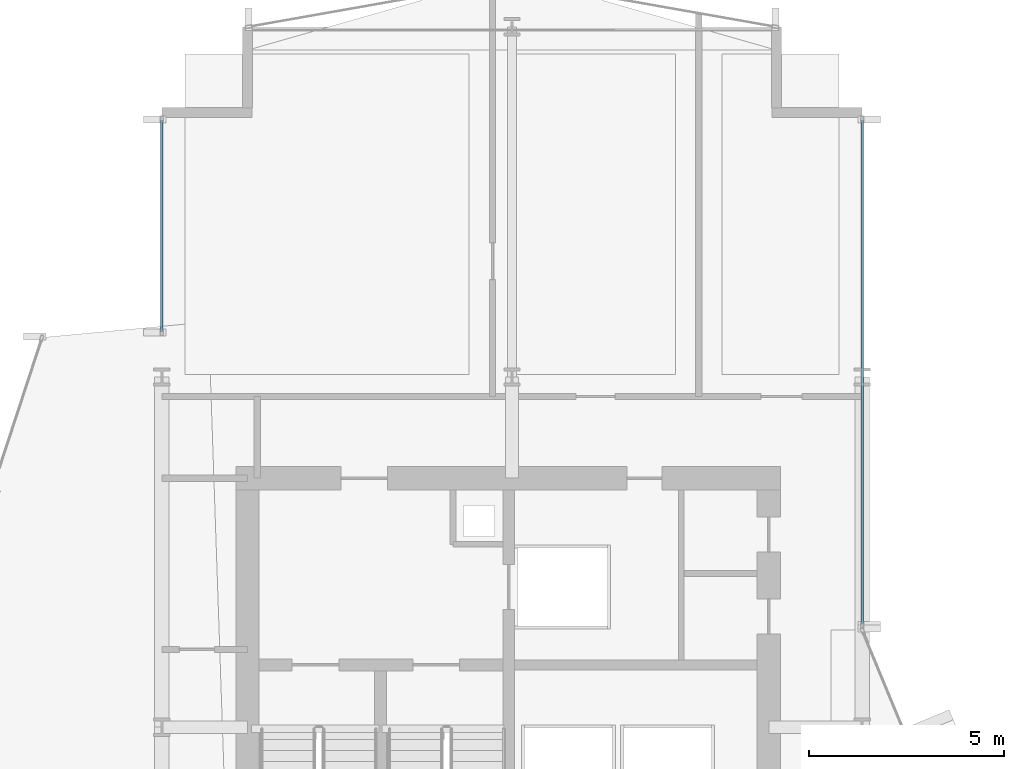
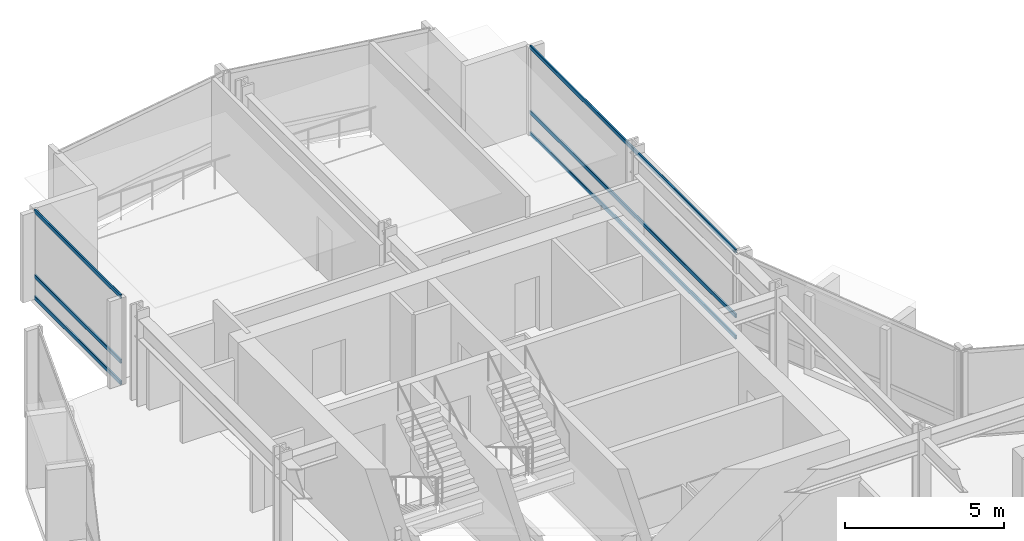
# One storey, part 22 of 34: 6 members, 2 elements without a shape of their own.
"""IFC4 building model written with IfcOpenShell, lengths in metres."""

from ifc_helpers import new_model, si_unit, direction, frame, origin, origin_2d, place, context, subcontext, project, spatial, hollow_rectangle, extrude, material, layer, layer_set, material_profile, profile_set, type_object, element, aggregate, save


model = new_model("IFC4")

# Units and contexts
model_context = context("Model", 3, precision=1e-05, world=origin(), true_north=direction((0.0, 1.0)))
body_context = subcontext(model_context, "Body", "Model", "MODEL_VIEW")
ifc_project = project(units=[si_unit("LENGTHUNIT", "METRE"), si_unit("AREAUNIT", "SQUARE_METRE"), si_unit("VOLUMEUNIT", "CUBIC_METRE"), si_unit("PLANEANGLEUNIT", "RADIAN"), si_unit("MASSUNIT", "GRAM", prefix="KILO")], contexts=[model_context])

# Site, building, storey
site_placement = place(None, origin())
site = spatial("IfcSite", under=ifc_project, at=site_placement, CompositionType="ELEMENT")
building_placement = place(site_placement, origin())
building = spatial("IfcBuilding", under=site, at=building_placement, Name="Solvaryn Broadcast Tower", CompositionType="ELEMENT")
storey_placement = place(building_placement, frame((0.0, 0.0, 96.5)))
storey = spatial("IfcBuildingStorey", under=building, at=storey_placement, Name="L23", CompositionType="ELEMENT", Elevation=96.5)

# Curtain wall, members
ifc_material_1 = material(Name="Aluminium and Terracotta Unitised Curtain Wall", Category="masonry")
ifc_layer = layer(ifc_material_1, 0.199951171875)
ifc_layer_set = layer_set([ifc_layer], Name="CW-SYS2-LOWMID")
curtain_wall_type = type_object("IfcCurtainWallType", Name="CW-SYS2-LOWMID", PredefinedType="NOTDEFINED", material=ifc_layer_set)
curtain_wall_1_placement = place(storey_placement, origin())
curtain_wall_1 = element("IfcCurtainWall", 1, at=curtain_wall_1_placement, inside=storey, type_object=curtain_wall_type, Name="L23 Curtain Wall W2", PredefinedType="NOTDEFINED")
ifc_material_2 = material(Name="Anodised Aluminium 6063-T6", Category="aluminium")
ifc_material_profile = material_profile(ifc_material_2, hollow_rectangle(XDim=0.06494140625, YDim=0.14990234375, WallThickness=0.00390625, InnerFilletRadius=0.00390625, OuterFilletRadius=0.008056640625, at=origin_2d()))
ifc_profile_set = profile_set([ifc_material_profile], Name="Anodised Aluminium 6063-T6")
member_type = type_object("IfcMemberType", Name="CW-TRN-150", PredefinedType="USERDEFINED", material=ifc_profile_set)
member_1_placement = place(storey_placement, frame((9.0, 46.176025390625, 0.030029296875), z_axis=(0.0, 1.0, 0.0), x_axis=(-1.0, 0.0, 0.0)))
member_1 = element("IfcMember", 2, at=member_1_placement, type_object=member_type, Name="CWS2 transom 1.1", ObjectType="TRANSOM", PredefinedType="USERDEFINED", context=body_context, shape_type="SweptSolid", body=[
    extrude(hollow_rectangle(XDim=0.06494140625, YDim=0.14990234375, WallThickness=0.00390625, InnerFilletRadius=0.00390625, OuterFilletRadius=0.008056640625, at=origin_2d()), origin(), (0.0, 0.0, 1.0), 5.4140625),
])
member_2_placement = place(storey_placement, frame((9.0, 46.176025390625, 0.85009765625), z_axis=(0.0, 1.0, 0.0), x_axis=(-1.0, 0.0, 0.0)))
member_2 = element("IfcMember", 3, at=member_2_placement, type_object=member_type, Name="CWS2 transom 1.2", ObjectType="TRANSOM", PredefinedType="USERDEFINED", context=body_context, shape_type="SweptSolid", body=[
    extrude(hollow_rectangle(XDim=0.06494140625, YDim=0.14990234375, WallThickness=0.00390625, InnerFilletRadius=0.00390625, OuterFilletRadius=0.008056640625, at=origin_2d()), origin(), (0.0, 0.0, 1.0), 5.4140625),
])
member_3_placement = place(storey_placement, frame((9.0, 46.176025390625, 3.340087890625), z_axis=(0.0, 1.0, 0.0), x_axis=(-1.0, 0.0, 0.0)))
member_3 = element("IfcMember", 4, at=member_3_placement, type_object=member_type, Name="CWS2 transom 1.3", ObjectType="TRANSOM", PredefinedType="USERDEFINED", context=body_context, shape_type="SweptSolid", body=[
    extrude(hollow_rectangle(XDim=0.06494140625, YDim=0.14990234375, WallThickness=0.00390625, InnerFilletRadius=0.00390625, OuterFilletRadius=0.008056640625, at=origin_2d()), origin(), (0.0, 0.0, 1.0), 5.4140625),
])
aggregate(curtain_wall_1, [member_1, member_2, member_3])

curtain_wall_2_placement = place(storey_placement, origin())
curtain_wall_2 = element("IfcCurtainWall", 5, at=curtain_wall_2_placement, inside=storey, type_object=curtain_wall_type, Name="L23 Curtain Wall IV", PredefinedType="NOTDEFINED")
member_4_placement = place(storey_placement, frame((27.0, 51.590087890625, 0.030029296875), z_axis=(0.0, -1.0, 0.0), x_axis=(1.0, 0.0, 0.0)))
member_4 = element("IfcMember", 6, at=member_4_placement, type_object=member_type, Name="CWS2 transom 1.1", ObjectType="TRANSOM", PredefinedType="USERDEFINED", context=body_context, shape_type="SweptSolid", body=[
    extrude(hollow_rectangle(XDim=0.06494140625, YDim=0.14990234375, WallThickness=0.00390625, InnerFilletRadius=0.00390625, OuterFilletRadius=0.008056640625, at=origin_2d()), origin(), (0.0, 0.0, 1.0), 12.93017578125),
])
member_5_placement = place(storey_placement, frame((27.0, 51.590087890625, 0.85009765625), z_axis=(0.0, -1.0, 0.0), x_axis=(1.0, 0.0, 0.0)))
member_5 = element("IfcMember", 7, at=member_5_placement, type_object=member_type, Name="CWS2 transom 1.2", ObjectType="TRANSOM", PredefinedType="USERDEFINED", context=body_context, shape_type="SweptSolid", body=[
    extrude(hollow_rectangle(XDim=0.06494140625, YDim=0.14990234375, WallThickness=0.00390625, InnerFilletRadius=0.00390625, OuterFilletRadius=0.008056640625, at=origin_2d()), origin(), (0.0, 0.0, 1.0), 12.93017578125),
])
member_6_placement = place(storey_placement, frame((27.0, 51.590087890625, 3.340087890625), z_axis=(0.0, -1.0, 0.0), x_axis=(1.0, 0.0, 0.0)))
member_6 = element("IfcMember", 8, at=member_6_placement, type_object=member_type, Name="CWS2 transom 1.3", ObjectType="TRANSOM", PredefinedType="USERDEFINED", context=body_context, shape_type="SweptSolid", body=[
    extrude(hollow_rectangle(XDim=0.06494140625, YDim=0.14990234375, WallThickness=0.00390625, InnerFilletRadius=0.00390625, OuterFilletRadius=0.008056640625, at=origin_2d()), origin(), (0.0, 0.0, 1.0), 12.93017578125),
])
aggregate(curtain_wall_2, [member_4, member_5, member_6])

save(model, "model.ifc")
